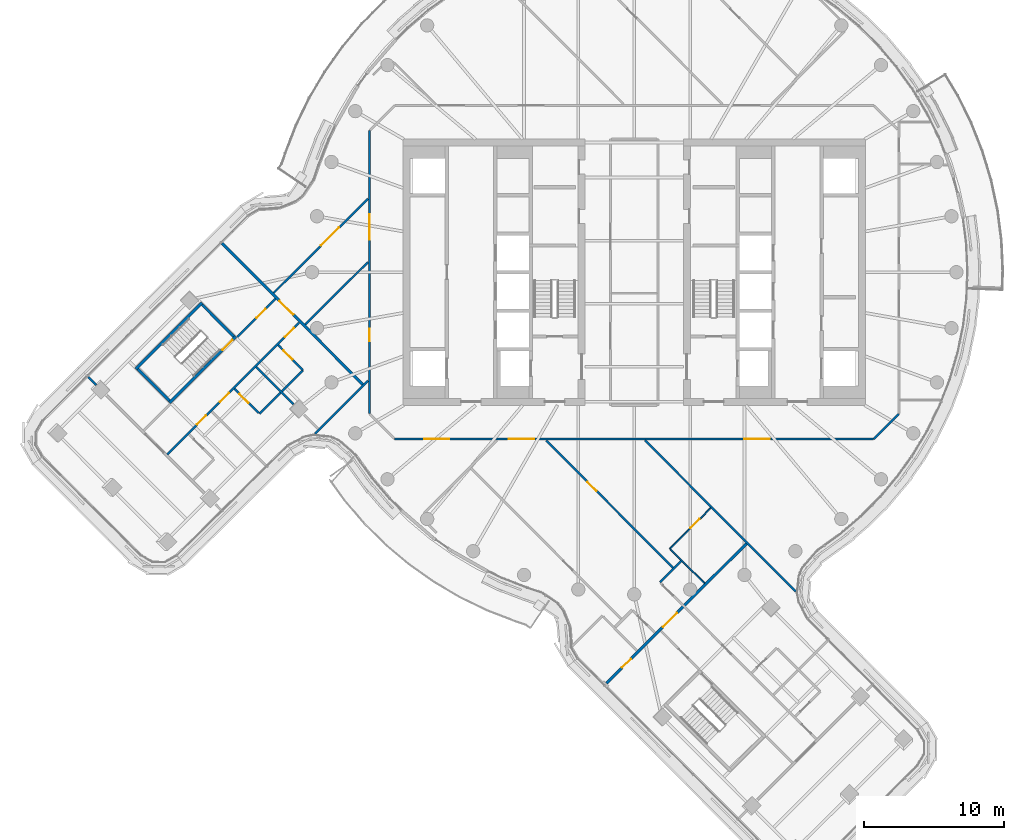
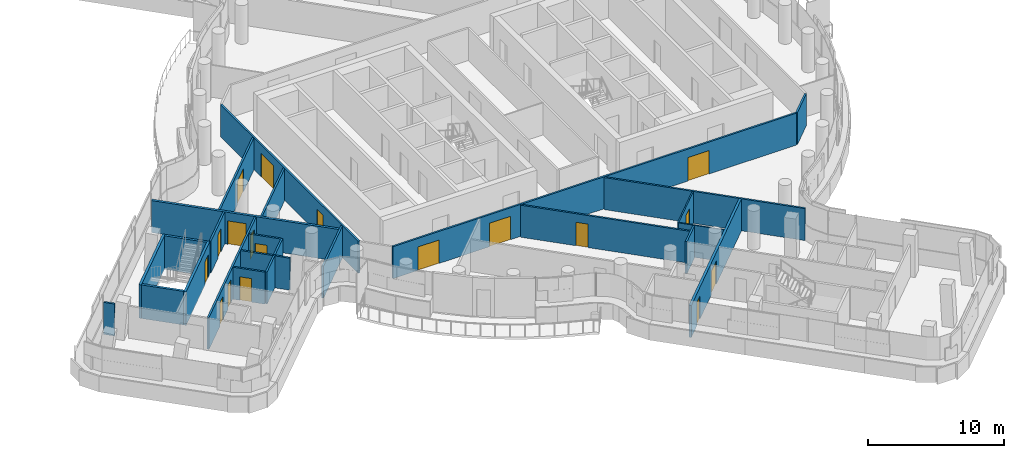
# One storey, part 19 of 31: 24 walls, 18 doors, 18 openings.
"""IFC4 building model written with IfcOpenShell, lengths in metres."""

from ifc_helpers import new_model, si_unit, direction, frame, frame_2d, origin, place, context, subcontext, project, spatial, polyline, rectangle, outline, extrude, material, layer, layer_set, type_object, element, fill, save


model = new_model("IFC4")

# Units and contexts
model_context = context("Model", 3, precision=1e-05, world=origin(), true_north=direction((0.0, 1.0)))
body_context = subcontext(model_context, "Body", "Model", "MODEL_VIEW")
ifc_project = project(units=[si_unit("LENGTHUNIT", "METRE"), si_unit("AREAUNIT", "SQUARE_METRE"), si_unit("VOLUMEUNIT", "CUBIC_METRE"), si_unit("PLANEANGLEUNIT", "RADIAN"), si_unit("MASSUNIT", "GRAM", prefix="KILO")], contexts=[model_context])

# Site, building, storey
site_placement = place(None, origin())
site = spatial("IfcSite", under=ifc_project, at=site_placement, CompositionType="ELEMENT")
building_placement = place(site_placement, origin())
building = spatial("IfcBuilding", under=site, at=building_placement, Name="Tamarind Cross Interchange Tower", CompositionType="ELEMENT")
storey_placement = place(building_placement, frame((0.0, 0.0, 196.89990234375)))
storey = spatial("IfcBuildingStorey", under=building, at=storey_placement, Name="L49", CompositionType="ELEMENT", Elevation=196.89990234375)

# Wall
ifc_material_1 = material(Name="Gypsum board partition on steel studs", Category="steel")
ifc_layer_1 = layer(ifc_material_1, 0.10009765625)
ifc_layer_set_1 = layer_set([ifc_layer_1], Name="Gypsum board partition on steel studs")
wall_type_1 = type_object("IfcWallType", Name="Partition 100 mm EI 90", PredefinedType="PARTITIONING", material=ifc_layer_set_1)
wall_1_placement = place(storey_placement, frame((2.583251953125, -19.7763671875, 0.0), z_axis=(0.0, 0.0, 1.0), x_axis=(0.706682050028, -0.707531257379, 0.0)))
element("IfcWall", 1, at=wall_1_placement, inside=storey, type_object=wall_type_1, Name="Partition L49-030", PredefinedType="PARTITIONING", context=body_context, shape_type="SweptSolid", body=[
    extrude(rectangle(XDim=3.449951171875, YDim=0.10009765625, at=frame_2d((1.72509765625, 0.0))), origin(), (0.0, 0.0, 1.0), 2.864013671875),
])

# Wall, opening, door
wall_2_placement = place(storey_placement, frame((2.547607421875, -19.740478515625, 0.0), z_axis=(0.0, 0.0, 1.0), x_axis=(0.707934704976, 0.706277886877, 0.0)))
wall_2 = element("IfcWall", 2, at=wall_2_placement, inside=storey, type_object=wall_type_1, Name="Partition L49-065", PredefinedType="PARTITIONING", context=body_context, shape_type="SweptSolid", body=[
    extrude(rectangle(XDim=4.1259765625, YDim=0.10009765625, at=frame_2d((2.06298828125, 0.0))), origin(), (0.0, 0.0, 1.0), 2.864013671875),
])
opening_1_placement = place(wall_2_placement, frame((2.10009765625, 0.0, 0.0)))
opening_1 = element("IfcOpeningElement", 3, at=opening_1_placement, cuts=wall_2, Name="Opening D35", PredefinedType="OPENING", context=body_context, shape_type="SweptSolid", body=[
    extrude(rectangle(XDim=0.89990234375, YDim=2.10009765625, at=frame_2d((0.449951171875, 1.050048828125))), frame((0.0, 0.06005859375, 0.0), z_axis=(0.0, -1.0, 0.0), x_axis=(1.0, 0.0, 0.0)), (0.0, 0.0, 1.0), 0.1201171875),
])
ifc_material_2 = material(Name="Fire-resisting door set")
door_type_1 = type_object("IfcDoorType", Name="Interior door 900 x 2100 FD60S", OperationType="SINGLE_SWING_LEFT", PredefinedType="DOOR", material=ifc_material_2)
door_1_placement = place(opening_1_placement, frame((0.89990234375, 0.0, 0.0), z_axis=(0.0, 0.0, 1.0), x_axis=(-1.0, 0.0, 0.0)))
door_1 = element("IfcDoor", 4, at=door_1_placement, inside=storey, type_object=door_type_1, Name="Door D35", OperationType="SINGLE_SWING_RIGHT", OverallHeight=2.10009765625, OverallWidth=0.89990234375, PredefinedType="DOOR", context=body_context, shape_type="SweptSolid", body=[
    extrude(rectangle(XDim=0.89990234375, YDim=2.10009765625, at=frame_2d((0.449951171875, 1.050048828125))), frame((0.0, 0.02490234375, 0.0), z_axis=(0.0, -1.0, 0.0), x_axis=(1.0, 0.0, 0.0)), (0.0, 0.0, 1.0), 0.050048828125),
])
fill(opening_1, door_1)

# Wall
ifc_layer_2 = layer(ifc_material_1, 0.14990234375)
ifc_layer_set_2 = layer_set([ifc_layer_2], Name="Gypsum board partition on steel studs")
wall_type_2 = type_object("IfcWallType", Name="Partition 150 mm EI 120", PredefinedType="PARTITIONING", material=ifc_layer_set_2)
wall_3_placement = place(storey_placement, frame((-38.9794921875, -7.474365234375, 0.0), z_axis=(0.0, 0.0, 1.0), x_axis=(0.706071162499, -0.708140885338, 0.0)))
element("IfcWall", 5, at=wall_3_placement, inside=storey, type_object=wall_type_2, Name="Partition L49-001", PredefinedType="PARTITIONING", context=body_context, shape_type="SweptSolid", body=[
    extrude(rectangle(XDim=0.82568359375, YDim=0.14990234375, at=frame_2d((0.412841796875, 0.0))), origin(), (0.0, 0.0, 1.0), 2.864013671875),
])

# Wall, opening, door
wall_4_placement = place(storey_placement, frame((-28.530517578125, -8.321533203125, 0.0), z_axis=(0.0, 0.0, 1.0), x_axis=(0.706107620916, -0.708104531609, 0.0)))
wall_4 = element("IfcWall", 6, at=wall_4_placement, inside=storey, type_object=wall_type_2, Name="Partition L49-007", PredefinedType="PARTITIONING", context=body_context, shape_type="SweptSolid", body=[
    extrude(rectangle(XDim=2.445068359375, YDim=0.14990234375, at=frame_2d((1.22265625, 0.0))), origin(), (0.0, 0.0, 1.0), 2.864013671875),
])
opening_2_placement = place(wall_4_placement, frame((0.52001953125, 0.0, 0.0)))
opening_2 = element("IfcOpeningElement", 7, at=opening_2_placement, cuts=wall_4, Name="Opening D04", PredefinedType="OPENING", context=body_context, shape_type="SweptSolid", body=[
    extrude(rectangle(XDim=0.89990234375, YDim=2.10009765625, at=frame_2d((0.449951171875, 1.050048828125))), frame((0.0, 0.0849609375, 0.0), z_axis=(0.0, -1.0, 0.0), x_axis=(1.0, 0.0, 0.0)), (0.0, 0.0, 1.0), 0.169921875),
])
door_2_placement = place(opening_2_placement, origin())
door_2 = element("IfcDoor", 8, at=door_2_placement, inside=storey, type_object=door_type_1, Name="Door D04", OperationType="SINGLE_SWING_RIGHT", OverallHeight=2.10009765625, OverallWidth=0.89990234375, PredefinedType="DOOR", context=body_context, shape_type="SweptSolid", body=[
    extrude(rectangle(XDim=0.89990234375, YDim=2.10009765625, at=frame_2d((0.449951171875, 1.050048828125))), frame((0.0, 0.02490234375, 0.0), z_axis=(0.0, -1.0, 0.0), x_axis=(1.0, 0.0, 0.0)), (0.0, 0.0, 1.0), 0.050048828125),
])
fill(opening_2, door_2)

# Wall
wall_5_placement = place(storey_placement, frame((-26.972412109375, -6.767578125, 0.0), z_axis=(0.0, 0.0, 1.0), x_axis=(0.706100687005, -0.708111445897, 0.0)))
element("IfcWall", 9, at=wall_5_placement, inside=storey, type_object=wall_type_2, Name="Partition L49-008", PredefinedType="PARTITIONING", context=body_context, shape_type="SweptSolid", body=[
    extrude(rectangle(XDim=3.763916015625, YDim=0.14990234375, at=frame_2d((1.8818359375, 0.0))), origin(), (0.0, 0.0, 1.0), 2.864013671875),
])

# Wall, opening, door
wall_6_placement = place(storey_placement, frame((-25.41455078125, -5.213623046875, 0.0), z_axis=(0.0, 0.0, 1.0), x_axis=(0.706171032538, -0.708041293149, 0.0)))
wall_6 = element("IfcWall", 10, at=wall_6_placement, inside=storey, type_object=wall_type_2, Name="Partition L49-010", PredefinedType="PARTITIONING", context=body_context, shape_type="SweptSolid", body=[
    extrude(rectangle(XDim=2.480224609375, YDim=0.14990234375, at=frame_2d((1.240234375, 0.0))), origin(), (0.0, 0.0, 1.0), 2.864013671875),
])
opening_3_placement = place(wall_6_placement, frame((0.52001953125, 0.0, 0.0)))
opening_3 = element("IfcOpeningElement", 11, at=opening_3_placement, cuts=wall_6, Name="Opening D05", PredefinedType="OPENING", context=body_context, shape_type="SweptSolid", body=[
    extrude(rectangle(XDim=0.89990234375, YDim=2.10009765625, at=frame_2d((0.449951171875, 1.050048828125))), frame((0.0, 0.0849609375, 0.0), z_axis=(0.0, -1.0, 0.0), x_axis=(1.0, 0.0, 0.0)), (0.0, 0.0, 1.0), 0.169921875),
])
door_3_placement = place(opening_3_placement, frame((0.89990234375, 0.0, 0.0), z_axis=(0.0, 0.0, 1.0), x_axis=(-1.0, 0.0, 0.0)))
door_3 = element("IfcDoor", 12, at=door_3_placement, inside=storey, type_object=door_type_1, Name="Door D05", OperationType="SINGLE_SWING_LEFT", OverallHeight=2.10009765625, OverallWidth=0.89990234375, PredefinedType="DOOR", context=body_context, shape_type="SweptSolid", body=[
    extrude(rectangle(XDim=0.89990234375, YDim=2.10009765625, at=frame_2d((0.449951171875, 1.050048828125))), frame((0.0, 0.02490234375, 0.0), z_axis=(0.0, -1.0, 0.0), x_axis=(1.0, 0.0, 0.0)), (0.0, 0.0, 1.0), 0.050048828125),
])
fill(opening_3, door_3)

wall_7_placement = place(storey_placement, frame((-6.29248046875, -12.009765625, 0.0), z_axis=(0.0, 0.0, 1.0), x_axis=(0.70618374721, -0.708028611834, 0.0)))
wall_7 = element("IfcWall", 13, at=wall_7_placement, inside=storey, type_object=wall_type_2, Name="Partition L49-021", PredefinedType="PARTITIONING", context=body_context, shape_type="SweptSolid", body=[
    extrude(rectangle(XDim=12.83642578125, YDim=0.14990234375, at=frame_2d((6.418212890625, 0.0))), origin(), (0.0, 0.0, 1.0), 2.864013671875),
])
opening_4_placement = place(wall_7_placement, frame((4.195068359375, 0.0, 0.0)))
opening_4 = element("IfcOpeningElement", 14, at=opening_4_placement, cuts=wall_7, Name="Opening D10", PredefinedType="OPENING", context=body_context, shape_type="SweptSolid", body=[
    extrude(rectangle(XDim=0.89990234375, YDim=2.10009765625, at=frame_2d((0.449951171875, 1.050048828125))), frame((0.0, 0.0849609375, 0.0), z_axis=(0.0, -1.0, 0.0), x_axis=(1.0, 0.0, 0.0)), (0.0, 0.0, 1.0), 0.169921875),
])
door_4_placement = place(opening_4_placement, origin())
door_4 = element("IfcDoor", 15, at=door_4_placement, inside=storey, type_object=door_type_1, Name="Door D10", OperationType="SINGLE_SWING_RIGHT", OverallHeight=2.10009765625, OverallWidth=0.89990234375, PredefinedType="DOOR", context=body_context, shape_type="SweptSolid", body=[
    extrude(rectangle(XDim=0.89990234375, YDim=2.10009765625, at=frame_2d((0.449951171875, 1.050048828125))), frame((0.0, 0.02490234375, 0.0), z_axis=(0.0, -1.0, 0.0), x_axis=(1.0, 0.0, 0.0)), (0.0, 0.0, 1.0), 0.050048828125),
])
fill(opening_4, door_4)

# Wall
wall_8_placement = place(storey_placement, frame((0.76953125, -12.009765625, 0.0), z_axis=(0.0, 0.0, 1.0), x_axis=(0.706233281546, -0.70797920311, 0.0)))
element("IfcWall", 16, at=wall_8_placement, inside=storey, type_object=wall_type_2, Name="Partition L49-026", PredefinedType="PARTITIONING", context=body_context, shape_type="SweptSolid", body=[
    extrude(rectangle(XDim=15.241943359375, YDim=0.14990234375, at=frame_2d((7.62109375, 0.0))), origin(), (0.0, 0.0, 1.0), 2.864013671875),
])

# Wall, openings, doors
wall_9_placement = place(storey_placement, frame((-17.10009765625, -11.89990234375, 0.0), z_axis=(0.0, 0.0, 1.0), x_axis=(1.0, 0.0, 0.0)))
wall_9 = element("IfcWall", 17, at=wall_9_placement, inside=storey, type_object=wall_type_2, Name="Partition L49-034", PredefinedType="PARTITIONING", context=body_context, shape_type="SweptSolid", body=[
    extrude(rectangle(XDim=34.1650390625, YDim=0.14990234375, at=frame_2d((17.08251953125, 0.0))), origin(), (0.0, 0.0, 1.0), 2.864013671875),
])
opening_5_placement = place(wall_9_placement, frame((8.152099609375, 0.0, 0.0)))
opening_5 = element("IfcOpeningElement", 18, at=opening_5_placement, cuts=wall_9, Name="Opening D18", PredefinedType="OPENING", context=body_context, shape_type="SweptSolid", body=[
    extrude(rectangle(XDim=1.800048828125, YDim=2.10009765625, at=frame_2d((0.89990234375, 1.050048828125))), frame((0.0, 0.0849609375, 0.0), z_axis=(0.0, -1.0, 0.0), x_axis=(1.0, 0.0, 0.0)), (0.0, 0.0, 1.0), 0.169921875),
])
opening_6_placement = place(wall_9_placement, frame((2.10009765625, 0.0, 0.0)))
opening_6 = element("IfcOpeningElement", 19, at=opening_6_placement, cuts=wall_9, Name="Opening D19", PredefinedType="OPENING", context=body_context, shape_type="SweptSolid", body=[
    extrude(rectangle(XDim=1.800048828125, YDim=2.10009765625, at=frame_2d((0.89990234375, 1.050048828125))), frame((0.0, 0.0849609375, 0.0), z_axis=(0.0, -1.0, 0.0), x_axis=(1.0, 0.0, 0.0)), (0.0, 0.0, 1.0), 0.169921875),
])
opening_7_placement = place(wall_9_placement, frame((24.9599609375, 0.0, 0.0)))
opening_7 = element("IfcOpeningElement", 20, at=opening_7_placement, cuts=wall_9, Name="Opening D20", PredefinedType="OPENING", context=body_context, shape_type="SweptSolid", body=[
    extrude(rectangle(XDim=1.800048828125, YDim=2.10009765625, at=frame_2d((0.89990234375, 1.050048828125))), frame((0.0, 0.0849609375, 0.0), z_axis=(0.0, -1.0, 0.0), x_axis=(1.0, 0.0, 0.0)), (0.0, 0.0, 1.0), 0.169921875),
])
door_type_2 = type_object("IfcDoorType", Name="Interior door 1800 x 2100 FD60S", OperationType="DOUBLE_DOOR_SINGLE_SWING", PredefinedType="DOOR", material=ifc_material_2)
door_5_placement = place(opening_5_placement, origin())
door_5 = element("IfcDoor", 21, at=door_5_placement, inside=storey, type_object=door_type_2, Name="Door D18", OperationType="DOUBLE_DOOR_SINGLE_SWING", OverallHeight=2.10009765625, OverallWidth=1.800048828125, PredefinedType="DOOR", context=body_context, shape_type="SweptSolid", body=[
    extrude(rectangle(XDim=1.800048828125, YDim=2.10009765625, at=frame_2d((0.89990234375, 1.050048828125))), frame((0.0, 0.02490234375, 0.0), z_axis=(0.0, -1.0, 0.0), x_axis=(1.0, 0.0, 0.0)), (0.0, 0.0, 1.0), 0.050048828125),
])
fill(opening_5, door_5)
door_6_placement = place(opening_6_placement, frame((1.800048828125, 0.0, 0.0), z_axis=(0.0, 0.0, 1.0), x_axis=(-1.0, 0.0, 0.0)))
door_6 = element("IfcDoor", 22, at=door_6_placement, inside=storey, type_object=door_type_2, Name="Door D19", OperationType="DOUBLE_DOOR_SINGLE_SWING", OverallHeight=2.10009765625, OverallWidth=1.800048828125, PredefinedType="DOOR", context=body_context, shape_type="SweptSolid", body=[
    extrude(rectangle(XDim=1.800048828125, YDim=2.10009765625, at=frame_2d((0.89990234375, 1.050048828125))), frame((0.0, 0.02490234375, 0.0), z_axis=(0.0, -1.0, 0.0), x_axis=(1.0, 0.0, 0.0)), (0.0, 0.0, 1.0), 0.050048828125),
])
fill(opening_6, door_6)
door_7_placement = place(opening_7_placement, frame((1.800048828125, 0.0, 0.0), z_axis=(0.0, 0.0, 1.0), x_axis=(-1.0, 0.0, 0.0)))
door_7 = element("IfcDoor", 23, at=door_7_placement, inside=storey, type_object=door_type_2, Name="Door D20", OperationType="DOUBLE_DOOR_SINGLE_SWING", OverallHeight=2.10009765625, OverallWidth=1.800048828125, PredefinedType="DOOR", context=body_context, shape_type="SweptSolid", body=[
    extrude(rectangle(XDim=1.800048828125, YDim=2.10009765625, at=frame_2d((0.89990234375, 1.050048828125))), frame((0.0, 0.02490234375, 0.0), z_axis=(0.0, -1.0, 0.0), x_axis=(1.0, 0.0, 0.0)), (0.0, 0.0, 1.0), 0.050048828125),
])
fill(opening_7, door_7)

# Wall, opening, door
wall_10_placement = place(storey_placement, frame((-28.34130859375, -4.63037109375, 0.0), z_axis=(0.0, 0.0, 1.0), x_axis=(0.707960220413, 0.70625231066, 0.0)))
wall_10 = element("IfcWall", 24, at=wall_10_placement, inside=storey, type_object=wall_type_2, Name="Partition L49-044", PredefinedType="PARTITIONING", context=body_context, shape_type="SweptSolid", body=[
    extrude(rectangle(XDim=3.859619140625, YDim=0.14990234375, at=frame_2d((1.9296875, 0.0))), origin(), (0.0, 0.0, 1.0), 2.864013671875),
])
opening_8_placement = place(wall_10_placement, frame((1.949951171875, 0.0, 0.0)))
opening_8 = element("IfcOpeningElement", 25, at=opening_8_placement, cuts=wall_10, Name="Opening D24", PredefinedType="OPENING", context=body_context, shape_type="SweptSolid", body=[
    extrude(rectangle(XDim=0.89990234375, YDim=2.10009765625, at=frame_2d((0.449951171875, 1.050048828125))), frame((0.0, 0.0849609375, 0.0), z_axis=(0.0, -1.0, 0.0), x_axis=(1.0, 0.0, 0.0)), (0.0, 0.0, 1.0), 0.169921875),
])
door_8_placement = place(opening_8_placement, origin())
door_8 = element("IfcDoor", 26, at=door_8_placement, inside=storey, type_object=door_type_1, Name="Door D24", OperationType="SINGLE_SWING_LEFT", OverallHeight=2.10009765625, OverallWidth=0.89990234375, PredefinedType="DOOR", context=body_context, shape_type="SweptSolid", body=[
    extrude(rectangle(XDim=0.89990234375, YDim=2.10009765625, at=frame_2d((0.449951171875, 1.050048828125))), frame((0.0, 0.02490234375, 0.0), z_axis=(0.0, -1.0, 0.0), x_axis=(1.0, 0.0, 0.0)), (0.0, 0.0, 1.0), 0.050048828125),
])
fill(opening_8, door_8)

# Wall, openings, doors
wall_11_placement = place(storey_placement, frame((-33.344482421875, -13.010498046875, 0.0), z_axis=(0.0, 0.0, 1.0), x_axis=(0.707794801774, 0.706418090497, 0.0)))
wall_11 = element("IfcWall", 27, at=wall_11_placement, inside=storey, type_object=wall_type_2, Name="Partition L49-045", PredefinedType="PARTITIONING", context=body_context, shape_type="SweptSolid", body=[
    extrude(rectangle(XDim=13.30029296875, YDim=0.14990234375, at=frame_2d((6.650146484375, 0.0))), origin(), (0.0, 0.0, 1.0), 2.864013671875),
])
opening_9_placement = place(wall_11_placement, frame((11.87060546875, 0.0, 0.0)))
opening_9 = element("IfcOpeningElement", 28, at=opening_9_placement, cuts=wall_11, Name="Opening D25", PredefinedType="OPENING", context=body_context, shape_type="SweptSolid", body=[
    extrude(rectangle(XDim=0.89990234375, YDim=2.10009765625, at=frame_2d((0.449951171875, 1.050048828125))), frame((0.0, 0.0849609375, 0.0), z_axis=(0.0, -1.0, 0.0), x_axis=(1.0, 0.0, 0.0)), (0.0, 0.0, 1.0), 0.169921875),
])
opening_10_placement = place(wall_11_placement, frame((5.320068359375, 0.0, 0.0)))
opening_10 = element("IfcOpeningElement", 29, at=opening_10_placement, cuts=wall_11, Name="Opening D26", PredefinedType="OPENING", context=body_context, shape_type="SweptSolid", body=[
    extrude(rectangle(XDim=0.89990234375, YDim=2.10009765625, at=frame_2d((0.449951171875, 1.050048828125))), frame((0.0, 0.0849609375, 0.0), z_axis=(0.0, -1.0, 0.0), x_axis=(1.0, 0.0, 0.0)), (0.0, 0.0, 1.0), 0.169921875),
])
opening_11_placement = place(wall_11_placement, frame((3.019775390625, 0.0, 0.0)))
opening_11 = element("IfcOpeningElement", 30, at=opening_11_placement, cuts=wall_11, Name="Opening D27", PredefinedType="OPENING", context=body_context, shape_type="SweptSolid", body=[
    extrude(rectangle(XDim=0.89990234375, YDim=2.10009765625, at=frame_2d((0.449951171875, 1.050048828125))), frame((0.0, 0.0849609375, 0.0), z_axis=(0.0, -1.0, 0.0), x_axis=(1.0, 0.0, 0.0)), (0.0, 0.0, 1.0), 0.169921875),
])
door_9_placement = place(opening_9_placement, frame((0.89990234375, 0.0, 0.0), z_axis=(0.0, 0.0, 1.0), x_axis=(-1.0, 0.0, 0.0)))
door_9 = element("IfcDoor", 31, at=door_9_placement, inside=storey, type_object=door_type_1, Name="Door D25", OperationType="SINGLE_SWING_RIGHT", OverallHeight=2.10009765625, OverallWidth=0.89990234375, PredefinedType="DOOR", context=body_context, shape_type="SweptSolid", body=[
    extrude(rectangle(XDim=0.89990234375, YDim=2.10009765625, at=frame_2d((0.449951171875, 1.050048828125))), frame((0.0, 0.02490234375, 0.0), z_axis=(0.0, -1.0, 0.0), x_axis=(1.0, 0.0, 0.0)), (0.0, 0.0, 1.0), 0.050048828125),
])
fill(opening_9, door_9)
door_10_placement = place(opening_10_placement, frame((0.89990234375, 0.0, 0.0), z_axis=(0.0, 0.0, 1.0), x_axis=(-1.0, 0.0, 0.0)))
door_10 = element("IfcDoor", 32, at=door_10_placement, inside=storey, type_object=door_type_1, Name="Door D26", OperationType="SINGLE_SWING_LEFT", OverallHeight=2.10009765625, OverallWidth=0.89990234375, PredefinedType="DOOR", context=body_context, shape_type="SweptSolid", body=[
    extrude(rectangle(XDim=0.89990234375, YDim=2.10009765625, at=frame_2d((0.449951171875, 1.050048828125))), frame((0.0, 0.02490234375, 0.0), z_axis=(0.0, -1.0, 0.0), x_axis=(1.0, 0.0, 0.0)), (0.0, 0.0, 1.0), 0.050048828125),
])
fill(opening_10, door_10)
door_11_placement = place(opening_11_placement, frame((0.89990234375, 0.0, 0.0), z_axis=(0.0, 0.0, 1.0), x_axis=(-1.0, 0.0, 0.0)))
door_11 = element("IfcDoor", 33, at=door_11_placement, inside=storey, type_object=door_type_1, Name="Door D27", OperationType="SINGLE_SWING_LEFT", OverallHeight=2.10009765625, OverallWidth=0.89990234375, PredefinedType="DOOR", context=body_context, shape_type="SweptSolid", body=[
    extrude(rectangle(XDim=0.89990234375, YDim=2.10009765625, at=frame_2d((0.449951171875, 1.050048828125))), frame((0.0, 0.02490234375, 0.0), z_axis=(0.0, -1.0, 0.0), x_axis=(1.0, 0.0, 0.0)), (0.0, 0.0, 1.0), 0.050048828125),
])
fill(opening_11, door_11)

# Wall
wall_12_placement = place(storey_placement, frame((-26.750732421875, -10.106201171875, 0.0), z_axis=(0.0, 0.0, 1.0), x_axis=(0.708021518616, 0.706190858888, 0.0)))
element("IfcWall", 34, at=wall_12_placement, inside=storey, type_object=wall_type_2, Name="Partition L49-047", PredefinedType="PARTITIONING", context=body_context, shape_type="SweptSolid", body=[
    extrude(rectangle(XDim=4.40087890625, YDim=0.14990234375, at=frame_2d((2.200439453125, 0.0))), origin(), (0.0, 0.0, 1.0), 2.864013671875),
])

# Wall, opening, door
wall_13_placement = place(storey_placement, frame((-25.749267578125, -1.48046875, 0.0), z_axis=(0.0, 0.0, 1.0), x_axis=(0.707978232656, 0.706234254398, 0.0)))
wall_13 = element("IfcWall", 35, at=wall_13_placement, inside=storey, type_object=wall_type_2, Name="Partition L49-048", PredefinedType="PARTITIONING", context=body_context, shape_type="SweptSolid", body=[
    extrude(rectangle(XDim=9.519287109375, YDim=0.14990234375, at=frame_2d((4.759765625, 0.0))), origin(), (0.0, 0.0, 1.0), 2.864013671875),
])
opening_12_placement = place(wall_13_placement, frame((4.800048828125, 0.0, 0.0)))
opening_12 = element("IfcOpeningElement", 36, at=opening_12_placement, cuts=wall_13, Name="Opening D28", PredefinedType="OPENING", context=body_context, shape_type="SweptSolid", body=[
    extrude(rectangle(XDim=1.800048828125, YDim=2.10009765625, at=frame_2d((0.89990234375, 1.050048828125))), frame((0.0, 0.0849609375, 0.0), z_axis=(0.0, -1.0, 0.0), x_axis=(1.0, 0.0, 0.0)), (0.0, 0.0, 1.0), 0.169921875),
])
door_12_placement = place(opening_12_placement, origin())
door_12 = element("IfcDoor", 37, at=door_12_placement, inside=storey, type_object=door_type_2, Name="Door D28", OperationType="DOUBLE_DOOR_SINGLE_SWING", OverallHeight=2.10009765625, OverallWidth=1.800048828125, PredefinedType="DOOR", context=body_context, shape_type="SweptSolid", body=[
    extrude(rectangle(XDim=1.800048828125, YDim=2.10009765625, at=frame_2d((0.89990234375, 1.050048828125))), frame((0.0, 0.02490234375, 0.0), z_axis=(0.0, -1.0, 0.0), x_axis=(1.0, 0.0, 0.0)), (0.0, 0.0, 1.0), 0.050048828125),
])
fill(opening_12, door_12)

# Walls
wall_14_placement = place(storey_placement, frame((-23.490234375, -3.745361328125, 0.0), z_axis=(0.0, 0.0, 1.0), x_axis=(0.708089983703, 0.706122209663, 0.0)))
element("IfcWall", 38, at=wall_14_placement, inside=storey, type_object=wall_type_2, Name="Partition L49-049", PredefinedType="PARTITIONING", context=body_context, shape_type="SweptSolid", body=[
    extrude(rectangle(XDim=6.32763671875, YDim=0.14990234375, at=frame_2d((3.163818359375, 0.0))), origin(), (0.0, 0.0, 1.0), 2.864013671875),
])
wall_15_placement = place(storey_placement, frame((-22.801025390625, -11.533935546875, 0.0), z_axis=(0.0, 0.0, 1.0), x_axis=(0.707926878429, 0.706285731696, 0.0)))
element("IfcWall", 39, at=wall_15_placement, inside=storey, type_object=wall_type_2, Name="Partition L49-050", PredefinedType="PARTITIONING", context=body_context, shape_type="SweptSolid", body=[
    extrude(rectangle(XDim=5.35546875, YDim=0.14990234375, at=frame_2d((2.677734375, 0.0))), origin(), (0.0, 0.0, 1.0), 2.864013671875),
])
wall_16_placement = place(storey_placement, frame((1.838623046875, -22.14453125, 0.0), z_axis=(0.0, 0.0, 1.0), x_axis=(0.708189507156, 0.706022394797, 0.0)))
element("IfcWall", 40, at=wall_16_placement, inside=storey, type_object=wall_type_2, Name="Partition L49-068", PredefinedType="PARTITIONING", context=body_context, shape_type="SweptSolid", body=[
    extrude(rectangle(XDim=2.140380859375, YDim=0.14990234375, at=frame_2d((1.0703125, 0.0))), origin(), (0.0, 0.0, 1.0), 2.864013671875),
])
wall_17_placement = place(storey_placement, frame((17.10009765625, -11.89990234375, 0.0), z_axis=(0.0, 0.0, 1.0), x_axis=(0.707106781187, 0.707106781187, 0.0)))
element("IfcWall", 41, at=wall_17_placement, inside=storey, type_object=wall_type_2, Name="Partition L49-076", PredefinedType="PARTITIONING", context=body_context, shape_type="SweptSolid", body=[
    extrude(rectangle(XDim=2.50537109375, YDim=0.14990234375, at=frame_2d((1.252685546875, 0.0))), origin(), (0.0, 0.0, 1.0), 2.864013671875),
])

# Wall, openings, doors
wall_18_placement = place(storey_placement, frame((-18.89990234375, -10.10009765625, 0.0), z_axis=(0.0, 0.0, 1.0), x_axis=(0.0, 1.0, 0.0)))
wall_18 = element("IfcWall", 42, at=wall_18_placement, inside=storey, type_object=wall_type_2, Name="Partition L49-077", PredefinedType="PARTITIONING", context=body_context, shape_type="SweptSolid", body=[
    extrude(rectangle(XDim=20.2001953125, YDim=0.14990234375, at=frame_2d((10.10009765625, 0.0))), origin(), (0.0, 0.0, 1.0), 2.864013671875),
])
opening_13_placement = place(wall_18_placement, frame((12.431884765625, 0.0, 0.0)))
opening_13 = element("IfcOpeningElement", 43, at=opening_13_placement, cuts=wall_18, Name="Opening D41", PredefinedType="OPENING", context=body_context, shape_type="SweptSolid", body=[
    extrude(rectangle(XDim=1.800048828125, YDim=2.10009765625, at=frame_2d((0.89990234375, 1.050048828125))), frame((0.0, 0.0849609375, 0.0), z_axis=(0.0, -1.0, 0.0), x_axis=(1.0, 0.0, 0.0)), (0.0, 0.0, 1.0), 0.169921875),
])
opening_14_placement = place(wall_18_placement, frame((5.157958984375, 0.0, 0.0)))
opening_14 = element("IfcOpeningElement", 44, at=opening_14_placement, cuts=wall_18, Name="Opening D42", PredefinedType="OPENING", context=body_context, shape_type="SweptSolid", body=[
    extrude(rectangle(XDim=0.89990234375, YDim=2.10009765625, at=frame_2d((0.449951171875, 1.050048828125))), frame((0.0, 0.0849609375, 0.0), z_axis=(0.0, -1.0, 0.0), x_axis=(1.0, 0.0, 0.0)), (0.0, 0.0, 1.0), 0.169921875),
])
door_13_placement = place(opening_13_placement, frame((1.800048828125, 0.0, 0.0), z_axis=(0.0, 0.0, 1.0), x_axis=(-1.0, 0.0, 0.0)))
door_13 = element("IfcDoor", 45, at=door_13_placement, inside=storey, type_object=door_type_2, Name="Door D41", OperationType="DOUBLE_DOOR_SINGLE_SWING", OverallHeight=2.10009765625, OverallWidth=1.800048828125, PredefinedType="DOOR", context=body_context, shape_type="SweptSolid", body=[
    extrude(rectangle(XDim=1.800048828125, YDim=2.10009765625, at=frame_2d((0.89990234375, 1.050048828125))), frame((0.0, 0.02490234375, 0.0), z_axis=(0.0, -1.0, 0.0), x_axis=(1.0, 0.0, 0.0)), (0.0, 0.0, 1.0), 0.050048828125),
])
fill(opening_13, door_13)
door_14_placement = place(opening_14_placement, origin())
door_14 = element("IfcDoor", 46, at=door_14_placement, inside=storey, type_object=door_type_1, Name="Door D42", OperationType="SINGLE_SWING_RIGHT", OverallHeight=2.10009765625, OverallWidth=0.89990234375, PredefinedType="DOOR", context=body_context, shape_type="SweptSolid", body=[
    extrude(rectangle(XDim=0.89990234375, YDim=2.10009765625, at=frame_2d((0.449951171875, 1.050048828125))), frame((0.0, 0.02490234375, 0.0), z_axis=(0.0, -1.0, 0.0), x_axis=(1.0, 0.0, 0.0)), (0.0, 0.0, 1.0), 0.050048828125),
])
fill(opening_14, door_14)

# Wall, opening, door
ifc_layer_3 = layer(ifc_material_1, 0.199951171875)
ifc_layer_set_3 = layer_set([ifc_layer_3], Name="Gypsum board partition on steel studs")
wall_type_3 = type_object("IfcWallType", Name="Partition 200 mm EI 180", PredefinedType="PARTITIONING", material=ifc_layer_set_3)
wall_19_placement = place(storey_placement, frame((-29.42138671875, 2.059326171875, 0.0), z_axis=(0.0, 0.0, 1.0), x_axis=(0.706204778192, -0.708007635029, 0.0)))
wall_19 = element("IfcWall", 47, at=wall_19_placement, inside=storey, type_object=wall_type_3, Name="Partition L49-006", PredefinedType="PARTITIONING", context=body_context, shape_type="SweptSolid", body=[
    extrude(rectangle(XDim=14.218994140625, YDim=0.199951171875, at=frame_2d((7.109375, 0.0))), origin(), (0.0, 0.0, 1.0), 2.864013671875),
])
opening_15_placement = place(wall_19_placement, frame((5.799072265625, 0.0, 0.0)))
opening_15 = element("IfcOpeningElement", 48, at=opening_15_placement, cuts=wall_19, Name="Opening D03", PredefinedType="OPENING", context=body_context, shape_type="SweptSolid", body=[
    extrude(rectangle(XDim=1.39990234375, YDim=2.10009765625, at=frame_2d((0.699951171875, 1.050048828125))), frame((0.0, 0.10986328125, 0.0), z_axis=(0.0, -1.0, 0.0), x_axis=(1.0, 0.0, 0.0)), (0.0, 0.0, 1.0), 0.219970703125),
])
door_type_3 = type_object("IfcDoorType", Name="Interior door 1400 x 2100 FD120S", OperationType="DOUBLE_DOOR_SINGLE_SWING", PredefinedType="DOOR", material=ifc_material_2)
door_15_placement = place(opening_15_placement, origin())
door_15 = element("IfcDoor", 49, at=door_15_placement, inside=storey, type_object=door_type_3, Name="Door D03", OperationType="DOUBLE_DOOR_SINGLE_SWING", OverallHeight=2.10009765625, OverallWidth=1.39990234375, PredefinedType="DOOR", context=body_context, shape_type="SweptSolid", body=[
    extrude(rectangle(XDim=1.39990234375, YDim=2.10009765625, at=frame_2d((0.699951171875, 1.050048828125))), frame((0.0, 0.02490234375, 0.0), z_axis=(0.0, -1.0, 0.0), x_axis=(1.0, 0.0, 0.0)), (0.0, 0.0, 1.0), 0.050048828125),
])
fill(opening_15, door_15)

# Wall, openings, doors
wall_20_placement = place(storey_placement, frame((-1.988525390625, -29.3505859375, 0.0), z_axis=(0.0, 0.0, 1.0), x_axis=(0.708014019558, 0.706198377305, 0.0)))
wall_20 = element("IfcWall", 50, at=wall_20_placement, inside=storey, type_object=wall_type_3, Name="Partition L49-066", PredefinedType="PARTITIONING", context=body_context, shape_type="SweptSolid", body=[
    extrude(rectangle(XDim=14.118896484375, YDim=0.199951171875, at=frame_2d((7.0595703125, 0.0))), origin(), (0.0, 0.0, 1.0), 2.864013671875),
])
opening_16_placement = place(wall_20_placement, frame((5.698974609375, 0.0, 0.0)))
opening_16 = element("IfcOpeningElement", 51, at=opening_16_placement, cuts=wall_20, Name="Opening D36", PredefinedType="OPENING", context=body_context, shape_type="SweptSolid", body=[
    extrude(rectangle(XDim=1.39990234375, YDim=2.10009765625, at=frame_2d((0.699951171875, 1.050048828125))), frame((0.0, 0.10986328125, 0.0), z_axis=(0.0, -1.0, 0.0), x_axis=(1.0, 0.0, 0.0)), (0.0, 0.0, 1.0), 0.219970703125),
])
opening_17_placement = place(wall_20_placement, frame((1.5791015625, 0.0, 0.0)))
opening_17 = element("IfcOpeningElement", 52, at=opening_17_placement, cuts=wall_20, Name="Opening D37", PredefinedType="OPENING", context=body_context, shape_type="SweptSolid", body=[
    extrude(rectangle(XDim=0.89990234375, YDim=2.10009765625, at=frame_2d((0.449951171875, 1.050048828125))), frame((0.0, 0.10986328125, 0.0), z_axis=(0.0, -1.0, 0.0), x_axis=(1.0, 0.0, 0.0)), (0.0, 0.0, 1.0), 0.219970703125),
])
door_16_placement = place(opening_16_placement, origin())
door_16 = element("IfcDoor", 53, at=door_16_placement, inside=storey, type_object=door_type_3, Name="Door D36", OperationType="DOUBLE_DOOR_SINGLE_SWING", OverallHeight=2.10009765625, OverallWidth=1.39990234375, PredefinedType="DOOR", context=body_context, shape_type="SweptSolid", body=[
    extrude(rectangle(XDim=1.39990234375, YDim=2.10009765625, at=frame_2d((0.699951171875, 1.050048828125))), frame((0.0, 0.02490234375, 0.0), z_axis=(0.0, -1.0, 0.0), x_axis=(1.0, 0.0, 0.0)), (0.0, 0.0, 1.0), 0.050048828125),
])
fill(opening_16, door_16)
door_type_4 = type_object("IfcDoorType", Name="Interior door 900 x 2100 FD120S", OperationType="SINGLE_SWING_LEFT", PredefinedType="DOOR", material=ifc_material_2)
door_17_placement = place(opening_17_placement, origin())
door_17 = element("IfcDoor", 54, at=door_17_placement, inside=storey, type_object=door_type_4, Name="Door D37", OperationType="SINGLE_SWING_RIGHT", OverallHeight=2.10009765625, OverallWidth=0.89990234375, PredefinedType="DOOR", context=body_context, shape_type="SweptSolid", body=[
    extrude(rectangle(XDim=0.89990234375, YDim=2.10009765625, at=frame_2d((0.449951171875, 1.050048828125))), frame((0.0, 0.02490234375, 0.0), z_axis=(0.0, -1.0, 0.0), x_axis=(1.0, 0.0, 0.0)), (0.0, 0.0, 1.0), 0.050048828125),
])
fill(opening_17, door_17)

# Wall, opening, door
ifc_material_3 = material(Name="Concrete C40", Category="concrete")
ifc_layer_4 = layer(ifc_material_3, 0.199951171875)
ifc_layer_set_4 = layer_set([ifc_layer_4], Name="Concrete C40")
wall_type_4 = type_object("IfcWallType", Name="Stair shaft wall 200 mm Concrete C40", PredefinedType="SHEAR", material=ifc_layer_set_4)
wall_21_placement = place(storey_placement, frame((-28.440673828125, -4.587890625, -0.139892578125), z_axis=(0.0, 0.0, 1.0), x_axis=(-0.707998959499, -0.706213475762, 0.0)))
wall_21 = element("IfcWall", 55, at=wall_21_placement, inside=storey, type_object=wall_type_4, Name="Core wall CWL-L49-ST5-H", PredefinedType="SHEAR", context=body_context, shape_type="SweptSolid", body=[
    extrude(rectangle(XDim=6.7001953125, YDim=0.199951171875, at=frame_2d((3.35009765625, 0.0))), origin(), (0.0, 0.0, 1.0), 3.00390625),
])
opening_18_placement = place(wall_21_placement, frame((0.35009765625, 0.0, 0.0)))
opening_18 = element("IfcOpeningElement", 56, at=opening_18_placement, cuts=wall_21, Name="Opening ST5L49", PredefinedType="OPENING", context=body_context, shape_type="SweptSolid", body=[
    extrude(rectangle(XDim=1.0, YDim=2.10009765625, at=frame_2d((0.5, 1.050048828125))), frame((0.0, 0.10986328125, 0.0), z_axis=(0.0, -1.0, 0.0), x_axis=(1.0, 0.0, 0.0)), (0.0, 0.0, 1.0), 0.219970703125),
])
ifc_material_4 = material(Name="Steel, fire-resisting", Category="steel")
door_type_5 = type_object("IfcDoorType", Name="Core fire door 1000 x 2100 FD90", OperationType="SINGLE_SWING_LEFT", PredefinedType="DOOR", material=ifc_material_4)
door_18_placement = place(opening_18_placement, origin())
door_18 = element("IfcDoor", 57, at=door_18_placement, inside=storey, type_object=door_type_5, Name="L49 stair door ST5", OperationType="SINGLE_SWING_LEFT", OverallHeight=2.10009765625, OverallWidth=1.0, PredefinedType="DOOR", context=body_context, shape_type="SweptSolid", body=[
    extrude(rectangle(XDim=1.0, YDim=2.10009765625, at=frame_2d((0.5, 1.050048828125))), frame((0.0, 0.02490234375, 0.0), z_axis=(0.0, -1.0, 0.0), x_axis=(1.0, 0.0, 0.0)), (0.0, 0.0, 1.0), 0.050048828125),
])
fill(opening_18, door_18)

# Walls
wall_22_placement = place(storey_placement, frame((-30.841552734375, -2.1806640625, -0.139892578125), z_axis=(0.0, 0.0, 1.0), x_axis=(-0.708017178896, -0.706195209831, 0.0)))
element("IfcWall", 58, at=wall_22_placement, inside=storey, type_object=wall_type_4, Name="Core wall CWL-L49-ST5-C", PredefinedType="SHEAR", context=body_context, shape_type="SweptSolid", body=[
    extrude(rectangle(XDim=6.699951171875, YDim=0.199951171875, at=frame_2d((3.35009765625, 0.0))), origin(), (0.0, 0.0, 1.0), 3.00390625),
])
wall_23_placement = place(storey_placement, frame((-30.841796875, -2.322021484375, -0.139892578125), z_axis=(0.0, 0.0, 1.0), x_axis=(0.706190643127, -0.708021733818, 0.0)))
element("IfcWall", 59, at=wall_23_placement, inside=storey, type_object=wall_type_4, Name="Core wall CWL-L49-ST5-CE", PredefinedType="SHEAR", context=body_context, shape_type="SweptSolid", body=[
    extrude(rectangle(XDim=3.199951171875, YDim=0.199951171875, at=frame_2d((1.60009765625, 0.0))), origin(), (0.0, 0.0, 1.0), 3.00390625),
])
wall_24_placement = place(storey_placement, frame((0.0, 0.0, -0.139892578125)))
element("IfcWall", 60, at=wall_24_placement, inside=storey, type_object=wall_type_4, Name="Core wall CWL-L49-ST5-CF", PredefinedType="SHEAR", context=body_context, shape_type="SweptSolid", body=[
    extrude(outline(polyline([(-35.373046875, -6.841796875), (-35.5146484375, -6.98291015625), (-33.2548828125, -9.24853515625), (-33.11328125, -9.107421875), (-35.373046875, -6.841796875)])), origin(), (0.0, 0.0, 1.0), 3.00390625),
])

save(model, "model.ifc")
